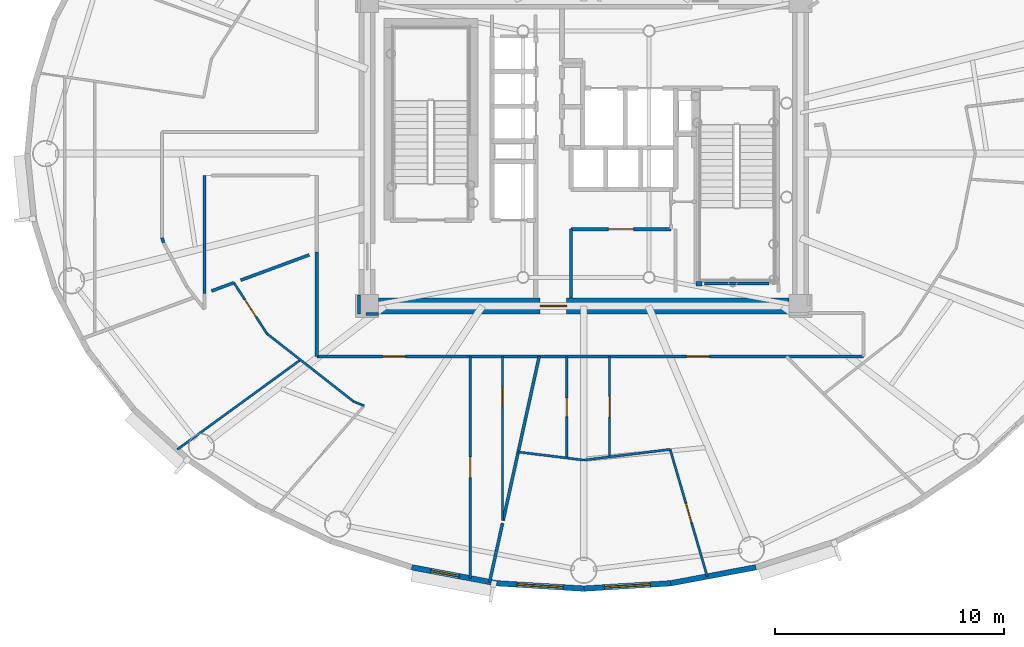
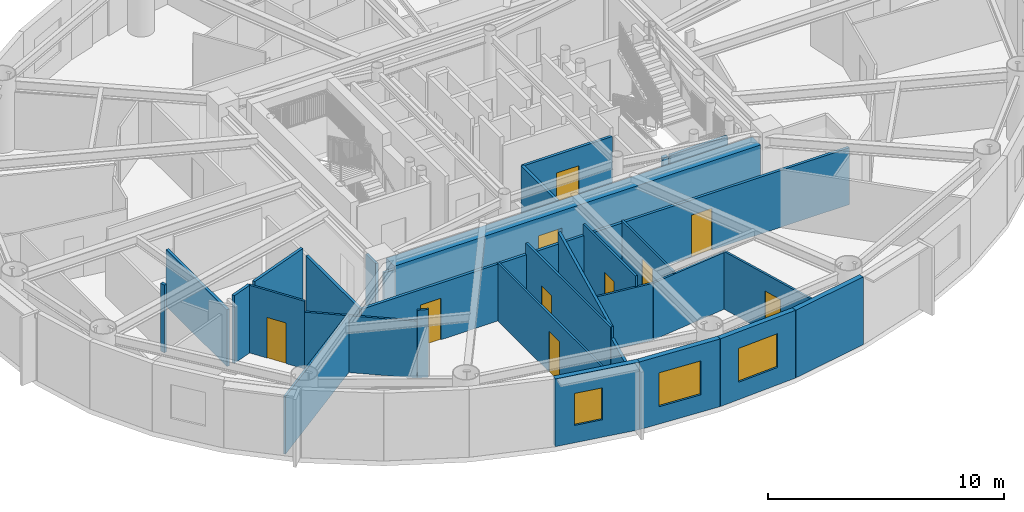
# One storey, part 7 of 19: 30 walls, 10 doors, 3 windows, 13 openings.
"""IFC4 building model written with IfcOpenShell, lengths in metres."""

from ifc_helpers import new_model, si_unit, direction, frame, frame_2d, origin, origin_2d, place, context, subcontext, project, spatial, rectangle, extrude, source, transform, mapped, material, layer, layer_set, type_object, element, fill, save


model = new_model("IFC4")

# Units and contexts
model_context = context("Model", 3, precision=1e-05, world=origin(), true_north=direction((0.0, 1.0)))
body_context = subcontext(model_context, "Body", "Model", "MODEL_VIEW")
ifc_project = project(units=[si_unit("LENGTHUNIT", "METRE"), si_unit("AREAUNIT", "SQUARE_METRE"), si_unit("VOLUMEUNIT", "CUBIC_METRE"), si_unit("PLANEANGLEUNIT", "RADIAN"), si_unit("MASSUNIT", "GRAM", prefix="KILO")], contexts=[model_context])

# Site, building, storey
site_placement = place(None, origin())
site = spatial("IfcSite", under=ifc_project, at=site_placement, CompositionType="ELEMENT")
building_placement = place(site_placement, origin())
building = spatial("IfcBuilding", under=site, at=building_placement, Name="Linh Dai School and Residence Tower", CompositionType="ELEMENT")
storey_placement = place(building_placement, frame((0.0, 0.0, 217.800048828125)))
storey = spatial("IfcBuildingStorey", under=building, at=storey_placement, Name="L53", CompositionType="ELEMENT", Elevation=217.800048828125)

# Wall, opening, window
ifc_material_1 = material(Name="Precast Concrete B45 (C35/45)", Category="concrete")
ifc_layer_1 = layer(ifc_material_1, 0.239990234375)
ifc_layer_set_1 = layer_set([ifc_layer_1], Name="Precast Concrete B45 (C35/45)")
wall_type_1 = type_object("IfcWallType", Name="EW-TC-240", PredefinedType="SOLIDWALL", material=ifc_layer_set_1)
wall_1_placement = place(storey_placement, frame((32.198486328125, 8.254150390625, 0.0), z_axis=(0.0, 0.0, 1.0), x_axis=(-0.982784898575, 0.184753465822, 0.0)))
wall_1 = element("IfcWall", 1, at=wall_1_placement, inside=storey, type_object=wall_type_1, Name="L53 Terracotta Exterior Wall 29", PredefinedType="SOLIDWALL", context=body_context, shape_type="SweptSolid", body=[
    extrude(rectangle(XDim=3.772705078125, YDim=0.239990234375, at=frame_2d((1.88623046875, 0.0))), origin(), (0.0, 0.0, 1.0), 3.5),
])
opening_1_placement = place(wall_1_placement, frame((1.663818359375, 0.0, 0.89990234375)))
opening_1 = element("IfcOpeningElement", 2, at=opening_1_placement, cuts=wall_1, Name="Opening W3", PredefinedType="OPENING", context=body_context, shape_type="SweptSolid", body=[
    extrude(rectangle(XDim=1.25, YDim=1.64990234375, at=origin_2d()), frame((0.625, 0.1298828125, 0.824951171875), z_axis=(0.0, -1.0, 0.0), x_axis=(1.0, 0.0, 0.0)), (0.0, 0.0, 1.0), 0.260009765625),
])
ifc_material_2 = material(Name="Double Low-E Insulated Glazing", Category="glass")
window_type_1 = type_object("IfcWindowType", Name="WN-RES-1250x1650", PartitioningType="SINGLE_PANEL", PredefinedType="WINDOW", material=ifc_material_2)
shared_shape_1 = source(origin(), body_context, "Body", "SweptSolid", [
    extrude(rectangle(XDim=1.25, YDim=1.64990234375, at=origin_2d()), frame((0.625, 0.030029296875, 0.824951171875), z_axis=(0.0, -1.0, 0.0), x_axis=(1.0, 0.0, 0.0)), (0.0, 0.0, 1.0), 0.06005859375),
])
window_1_placement = place(opening_1_placement, origin())
window_1 = element("IfcWindow", 3, at=window_1_placement, inside=storey, type_object=window_type_1, Name="L53 Exterior Window 29.1", OverallHeight=1.64990234375, OverallWidth=1.25, PartitioningType="SINGLE_PANEL", PredefinedType="WINDOW", context=body_context, shape_type="MappedRepresentation", body=[
    mapped(shared_shape_1, transform((0.0, 0.0, 0.0), x_axis=(1.0, 0.0, 0.0), y_axis=(0.0, 1.0, 0.0), z_axis=(0.0, 0.0, 1.0), scale=1.0)),
])
fill(opening_1, window_1)

wall_2_placement = place(storey_placement, frame((36.0, 8.02001953125, 0.0), z_axis=(0.0, 0.0, 1.0), x_axis=(-0.998108785312, 0.06147237333, 0.0)))
wall_2 = element("IfcWall", 4, at=wall_2_placement, inside=storey, type_object=wall_type_1, Name="L53 Terracotta Exterior Wall 30", PredefinedType="SOLIDWALL", context=body_context, shape_type="SweptSolid", body=[
    extrude(rectangle(XDim=3.808837890625, YDim=0.239990234375, at=frame_2d((1.904296875, 0.0))), origin(), (0.0, 0.0, 1.0), 3.5),
])
opening_2_placement = place(wall_2_placement, frame((0.904296875, 0.0, 0.89990234375)))
opening_2 = element("IfcOpeningElement", 5, at=opening_2_placement, cuts=wall_2, Name="Opening W1", PredefinedType="OPENING", context=body_context, shape_type="SweptSolid", body=[
    extrude(rectangle(XDim=2.0, YDim=1.75, at=origin_2d()), frame((1.0, 0.1298828125, 0.875), z_axis=(0.0, -1.0, 0.0), x_axis=(1.0, 0.0, 0.0)), (0.0, 0.0, 1.0), 0.260009765625),
])
window_type_2 = type_object("IfcWindowType", Name="WN-RES-2000x1750", PartitioningType="DOUBLE_PANEL_VERTICAL", PredefinedType="WINDOW", material=ifc_material_2)
shared_shape_2 = source(origin(), body_context, "Body", "SweptSolid", [
    extrude(rectangle(XDim=2.0, YDim=1.75, at=origin_2d()), frame((1.0, 0.030029296875, 0.875), z_axis=(0.0, -1.0, 0.0), x_axis=(1.0, 0.0, 0.0)), (0.0, 0.0, 1.0), 0.06005859375),
])
window_2_placement = place(opening_2_placement, origin())
window_2 = element("IfcWindow", 6, at=window_2_placement, inside=storey, type_object=window_type_2, Name="L53 Exterior Window 30.1", OverallHeight=1.75, OverallWidth=2.0, PartitioningType="DOUBLE_PANEL_VERTICAL", PredefinedType="WINDOW", context=body_context, shape_type="MappedRepresentation", body=[
    mapped(shared_shape_2, transform((0.0, 0.0, 0.0), x_axis=(1.0, 0.0, 0.0), y_axis=(0.0, 1.0, 0.0), z_axis=(0.0, 0.0, 1.0), scale=1.0)),
])
fill(opening_2, window_2)

wall_3_placement = place(storey_placement, frame((39.801513671875, 8.254150390625, 0.0), z_axis=(0.0, 0.0, 1.0), x_axis=(-0.998108785312, -0.06147237333, 0.0)))
wall_3 = element("IfcWall", 7, at=wall_3_placement, inside=storey, type_object=wall_type_1, Name="L53 Terracotta Exterior Wall 31", PredefinedType="SOLIDWALL", context=body_context, shape_type="SweptSolid", body=[
    extrude(rectangle(XDim=3.808837890625, YDim=0.239990234375, at=frame_2d((1.904296875, 0.0))), origin(), (0.0, 0.0, 1.0), 3.5),
])
opening_3_placement = place(wall_3_placement, frame((0.904541015625, 0.0, 0.89990234375)))
opening_3 = element("IfcOpeningElement", 8, at=opening_3_placement, cuts=wall_3, Name="Opening W1", PredefinedType="OPENING", context=body_context, shape_type="SweptSolid", body=[
    extrude(rectangle(XDim=2.0, YDim=1.75, at=origin_2d()), frame((1.0, 0.1298828125, 0.875), z_axis=(0.0, -1.0, 0.0), x_axis=(1.0, 0.0, 0.0)), (0.0, 0.0, 1.0), 0.260009765625),
])
window_3_placement = place(opening_3_placement, origin())
window_3 = element("IfcWindow", 9, at=window_3_placement, inside=storey, type_object=window_type_2, Name="L53 Exterior Window 31.1", OverallHeight=1.75, OverallWidth=2.0, PartitioningType="DOUBLE_PANEL_VERTICAL", PredefinedType="WINDOW", context=body_context, shape_type="MappedRepresentation", body=[
    mapped(shared_shape_2, transform((0.0, 0.0, 0.0), x_axis=(1.0, 0.0, 0.0), y_axis=(0.0, 1.0, 0.0), z_axis=(0.0, 0.0, 1.0), scale=1.0)),
])
fill(opening_3, window_3)

# Walls
wall_4_placement = place(storey_placement, frame((43.50927734375, 8.951171875, 0.0), z_axis=(0.0, 0.0, 1.0), x_axis=(-0.982784898575, -0.184753465822, 0.0)))
element("IfcWall", 10, at=wall_4_placement, inside=storey, type_object=wall_type_1, Name="L53 Terracotta Exterior Wall 32", PredefinedType="SOLIDWALL", context=body_context, shape_type="SweptSolid", body=[
    extrude(rectangle(XDim=3.772705078125, YDim=0.239990234375, at=frame_2d((1.88623046875, 0.0))), origin(), (0.0, 0.0, 1.0), 3.5),
])
ifc_material_3 = material(Name="Autoclaved Aerated Concrete Blockwork", Category="masonry")
ifc_layer_2 = layer(ifc_material_3, 0.135009765625)
ifc_layer_set_2 = layer_set([ifc_layer_2], Name="Autoclaved Aerated Concrete Blockwork")
wall_type_2 = type_object("IfcWallType", Name="IW-CORR-135-EI90", PredefinedType="PARTITIONING", material=ifc_layer_set_2)
wall_5_placement = place(storey_placement, frame((17.60009765625, 23.327880859375, 0.0), z_axis=(0.0, 0.0, 1.0), x_axis=(0.292875000845, -0.956150738053, 0.0)))
element("IfcWall", 11, at=wall_5_placement, inside=storey, type_object=wall_type_2, Name="L53 Interior Partition Wall 007", PredefinedType="PARTITIONING", context=body_context, shape_type="SweptSolid", body=[
    extrude(rectangle(XDim=0.226806640625, YDim=0.135009765625, at=frame_2d((0.11328125, 0.0))), origin(), (0.0, 0.0, 1.0), 3.5),
])
wall_6_placement = place(storey_placement, frame((24.35009765625, 18.14990234375, 0.0), z_axis=(0.0, 0.0, 1.0), x_axis=(0.0, 1.0, 0.0)))
element("IfcWall", 12, at=wall_6_placement, inside=storey, type_object=wall_type_2, Name="L53 Interior Partition Wall 020", PredefinedType="PARTITIONING", context=body_context, shape_type="SweptSolid", body=[
    extrude(rectangle(XDim=4.550537109375, YDim=0.135009765625, at=frame_2d((2.275390625, 0.0))), origin(), (0.0, 0.0, 1.0), 2.93505859375),
])

# Wall, openings, doors
wall_7_placement = place(storey_placement, frame((24.35009765625, 18.14990234375, 0.0), z_axis=(0.0, 0.0, 1.0), x_axis=(1.0, 0.0, 0.0)))
wall_7 = element("IfcWall", 13, at=wall_7_placement, inside=storey, type_object=wall_type_2, Name="L53 Interior Partition Wall 021", PredefinedType="PARTITIONING", context=body_context, shape_type="SweptSolid", body=[
    extrude(rectangle(XDim=23.849853515625, YDim=0.135009765625, at=frame_2d((11.9248046875, 0.0))), origin(), (0.0, 0.0, 1.0), 2.93505859375),
])
opening_4_placement = place(wall_7_placement, frame((2.86962890625, 0.0, 0.0)))
opening_4 = element("IfcOpeningElement", 14, at=opening_4_placement, cuts=wall_7, Name="Opening D03", PredefinedType="OPENING", context=body_context, shape_type="SweptSolid", body=[
    extrude(rectangle(XDim=1.0, YDim=2.14990234375, at=origin_2d()), frame((0.5, 0.07763671875, 1.074951171875), z_axis=(0.0, -1.0, 0.0), x_axis=(1.0, 0.0, 0.0)), (0.0, 0.0, 1.0), 0.155029296875),
])
opening_5_placement = place(wall_7_placement, frame((16.129638671875, 0.0, 0.0)))
opening_5 = element("IfcOpeningElement", 15, at=opening_5_placement, cuts=wall_7, Name="Opening D03", PredefinedType="OPENING", context=body_context, shape_type="SweptSolid", body=[
    extrude(rectangle(XDim=1.0, YDim=2.14990234375, at=origin_2d()), frame((0.5, 0.07763671875, 1.074951171875), z_axis=(0.0, -1.0, 0.0), x_axis=(1.0, 0.0, 0.0)), (0.0, 0.0, 1.0), 0.155029296875),
])
ifc_material_4 = material(Name="Fire-Rated Solid Timber Entrance Door", Category="wood")
door_type_1 = type_object("IfcDoorType", Name="DR-FLAT-1000x2150-FD60S", OperationType="NOTDEFINED", PredefinedType="DOOR", material=ifc_material_4)
shared_shape_3 = source(origin(), body_context, "Body", "SweptSolid", [
    extrude(rectangle(XDim=1.0, YDim=2.14990234375, at=origin_2d()), frame((0.5, 0.02490234375, 1.074951171875), z_axis=(0.0, -1.0, 0.0), x_axis=(1.0, 0.0, 0.0)), (0.0, 0.0, 1.0), 0.050048828125),
])
door_1_placement = place(opening_4_placement, origin())
door_1 = element("IfcDoor", 16, at=door_1_placement, inside=storey, type_object=door_type_1, Name="L53 U5305 Apartment Entrance Door", OperationType="SINGLE_SWING_RIGHT", OverallHeight=2.14990234375, OverallWidth=1.0, PredefinedType="DOOR", context=body_context, shape_type="MappedRepresentation", body=[
    mapped(shared_shape_3, transform((0.0, 0.0, 0.0), x_axis=(1.0, 0.0, 0.0), y_axis=(0.0, 1.0, 0.0), z_axis=(0.0, 0.0, 1.0), scale=1.0)),
])
fill(opening_4, door_1)
door_2_placement = place(opening_5_placement, origin())
door_2 = element("IfcDoor", 17, at=door_2_placement, inside=storey, type_object=door_type_1, Name="L53 U5306 Apartment Entrance Door", OperationType="SINGLE_SWING_LEFT", OverallHeight=2.14990234375, OverallWidth=1.0, PredefinedType="DOOR", context=body_context, shape_type="MappedRepresentation", body=[
    mapped(shared_shape_3, transform((0.0, 0.0, 0.0), x_axis=(1.0, 0.0, 0.0), y_axis=(0.0, 1.0, 0.0), z_axis=(0.0, 0.0, 1.0), scale=1.0)),
])
fill(opening_5, door_2)

# Walls
wall_8_placement = place(storey_placement, frame((31.890625, 8.30712890625, 0.0), z_axis=(0.0, 0.0, 1.0), x_axis=(0.214700779338, 0.976679873526, 0.0)))
element("IfcWall", 18, at=wall_8_placement, inside=storey, type_object=wall_type_2, Name="L53 Interior Partition Wall 034", PredefinedType="PARTITIONING", context=body_context, shape_type="SweptSolid", body=[
    extrude(rectangle(XDim=2.63232421875, YDim=0.135009765625, at=frame_2d((1.316162109375, 0.0))), origin(), (0.0, 0.0, 1.0), 2.98486328125),
])
wall_9_placement = place(storey_placement, frame((32.47900390625, 10.98291015625, 0.0), z_axis=(0.0, 0.0, 1.0), x_axis=(0.214685976808, 0.976683127407, 0.0)))
element("IfcWall", 19, at=wall_9_placement, inside=storey, type_object=wall_type_2, Name="L53 Interior Partition Wall 042", PredefinedType="PARTITIONING", context=body_context, shape_type="SweptSolid", body=[
    extrude(rectangle(XDim=7.33837890625, YDim=0.135009765625, at=frame_2d((3.669189453125, 0.0))), origin(), (0.0, 0.0, 1.0), 3.5),
])
wall_10_placement = place(storey_placement, frame((35.449951171875, 20.699951171875, 0.0), z_axis=(0.0, 0.0, 1.0), x_axis=(0.0, 1.0, 0.0)))
element("IfcWall", 20, at=wall_10_placement, inside=storey, type_object=wall_type_2, Name="L53 Interior Partition Wall 052", PredefinedType="PARTITIONING", context=body_context, shape_type="SweptSolid", body=[
    extrude(rectangle(XDim=3.0, YDim=0.135009765625, at=frame_2d((1.5, 0.0))), origin(), (0.0, 0.0, 1.0), 3.0849609375),
])

# Wall, opening, door
wall_11_placement = place(storey_placement, frame((35.449951171875, 23.699951171875, 0.0), z_axis=(0.0, 0.0, 1.0), x_axis=(1.0, 0.0, 0.0)))
wall_11 = element("IfcWall", 21, at=wall_11_placement, inside=storey, type_object=wall_type_2, Name="L53 Interior Partition Wall 053", PredefinedType="PARTITIONING", context=body_context, shape_type="SweptSolid", body=[
    extrude(rectangle(XDim=4.35009765625, YDim=0.135009765625, at=frame_2d((2.175048828125, 0.0))), origin(), (0.0, 0.0, 1.0), 3.0849609375),
])
opening_6_placement = place(wall_11_placement, frame((1.625, 0.0, 0.0)))
opening_6 = element("IfcOpeningElement", 22, at=opening_6_placement, cuts=wall_11, Name="Opening D07", PredefinedType="OPENING", context=body_context, shape_type="SweptSolid", body=[
    extrude(rectangle(XDim=1.10009765625, YDim=2.14990234375, at=origin_2d()), frame((0.550048828125, 0.07763671875, 1.074951171875), z_axis=(0.0, -1.0, 0.0), x_axis=(1.0, 0.0, 0.0)), (0.0, 0.0, 1.0), 0.155029296875),
])
ifc_material_5 = material(Name="Fire-Rated Louvred Steel Plant Door", Category="steel")
door_type_2 = type_object("IfcDoorType", Name="DR-PLT-1100x2150-FD60S", OperationType="NOTDEFINED", PredefinedType="DOOR", material=ifc_material_5)
shared_shape_4 = source(origin(), body_context, "Body", "SweptSolid", [
    extrude(rectangle(XDim=1.10009765625, YDim=2.14990234375, at=origin_2d()), frame((0.550048828125, 0.02490234375, 1.074951171875), z_axis=(0.0, -1.0, 0.0), x_axis=(1.0, 0.0, 0.0)), (0.0, 0.0, 1.0), 0.050048828125),
])
door_3_placement = place(opening_6_placement, origin())
door_3 = element("IfcDoor", 23, at=door_3_placement, inside=storey, type_object=door_type_2, Name="L53 Tenant Metering and BMS Room Door", OperationType="SINGLE_SWING_LEFT", OverallHeight=2.14990234375, OverallWidth=1.10009765625, PredefinedType="DOOR", context=body_context, shape_type="MappedRepresentation", body=[
    mapped(shared_shape_4, transform((0.0, 0.0, 0.0), x_axis=(1.0, 0.0, 0.0), y_axis=(0.0, 1.0, 0.0), z_axis=(0.0, 0.0, 1.0), scale=1.0)),
])
fill(opening_6, door_3)

# Walls
wall_12_placement = place(storey_placement, frame((44.080078125, 21.330078125, 0.0), z_axis=(0.0, 0.0, 1.0), x_axis=(-1.0, 0.0, 0.0)))
element("IfcWall", 24, at=wall_12_placement, inside=storey, type_object=wall_type_2, Name="L53 Interior Partition Wall 096", PredefinedType="PARTITIONING", context=body_context, shape_type="SweptSolid", body=[
    extrude(rectangle(XDim=2.820068359375, YDim=0.135009765625, at=frame_2d((1.41015625, 0.0))), origin(), (0.0, 0.0, 1.0), 3.034912109375),
])
wall_13_placement = place(storey_placement, frame((19.449951171875, 26.050048828125, 0.0), z_axis=(0.0, 0.0, 1.0), x_axis=(0.0, -1.0, 0.0)))
element("IfcWall", 25, at=wall_13_placement, inside=storey, type_object=wall_type_2, Name="L53 Interior Partition Wall 102", PredefinedType="PARTITIONING", context=body_context, shape_type="SweptSolid", body=[
    extrude(rectangle(XDim=5.14794921875, YDim=0.135009765625, at=frame_2d((2.573974609375, 0.0))), origin(), (0.0, 0.0, 1.0), 2.93505859375),
])
wall_14_placement = place(storey_placement, frame((26.199951171875, 20.840087890625, 0.0), z_axis=(0.0, 0.0, 1.0), x_axis=(0.0, -1.0, 0.0)))
element("IfcWall", 26, at=wall_14_placement, inside=storey, type_object=wall_type_2, Name="L53 Interior Partition Wall 107", PredefinedType="PARTITIONING", context=body_context, shape_type="SweptSolid", body=[
    extrude(rectangle(XDim=0.840087890625, YDim=0.135009765625, at=frame_2d((0.419921875, 0.0))), origin(), (0.0, 0.0, 1.0), 3.5),
])
wall_15_placement = place(storey_placement, frame((26.507568359375, 20.0, 0.0), z_axis=(0.0, 0.0, 1.0), x_axis=(1.0, 0.0, 0.0)))
element("IfcWall", 27, at=wall_15_placement, inside=storey, type_object=wall_type_2, Name="L53 Interior Partition Wall 108", PredefinedType="PARTITIONING", context=body_context, shape_type="SweptSolid", body=[
    extrude(rectangle(XDim=0.532470703125, YDim=0.135009765625, at=frame_2d((0.26611328125, 0.0))), origin(), (0.0, 0.0, 1.0), 2.93505859375),
])
wall_16_placement = place(storey_placement, frame((21.03125, 21.475830078125, 0.0), z_axis=(0.0, 0.0, 1.0), x_axis=(0.938166504217, 0.346184358926, 0.0)))
element("IfcWall", 28, at=wall_16_placement, inside=storey, type_object=wall_type_2, Name="L53 Interior Partition Wall 112", PredefinedType="PARTITIONING", context=body_context, shape_type="SweptSolid", body=[
    extrude(rectangle(XDim=3.1884765625, YDim=0.135009765625, at=frame_2d((1.59423828125, 0.0))), origin(), (0.0, 0.0, 1.0), 3.5),
])
wall_17_placement = place(storey_placement, frame((19.757568359375, 21.005615234375, 0.0), z_axis=(0.0, 0.0, 1.0), x_axis=(0.938130503792, 0.346281905179, 0.0)))
element("IfcWall", 29, at=wall_17_placement, inside=storey, type_object=wall_type_2, Name="L53 Interior Partition Wall 113", PredefinedType="PARTITIONING", context=body_context, shape_type="SweptSolid", body=[
    extrude(rectangle(XDim=1.0400390625, YDim=0.135009765625, at=frame_2d((0.52001953125, 0.0))), origin(), (0.0, 0.0, 1.0), 3.5),
])
ifc_material_6 = material(Name="Concrete B45 (C35/45)", Category="concrete")
ifc_layer_3 = layer(ifc_material_6, 0.199951171875)
ifc_layer_set_3 = layer_set([ifc_layer_3], Name="Concrete B45 (C35/45)")
wall_type_3 = type_object("IfcWallType", Name="IW-SHAFT-200-EI120", PredefinedType="PARTITIONING", material=ifc_layer_set_3)
wall_18_placement = place(storey_placement, frame((40.89990234375, 21.330078125, 0.0), z_axis=(0.0, 0.0, 1.0), x_axis=(1.0, 0.0, 0.0)))
element("IfcWall", 30, at=wall_18_placement, inside=storey, type_object=wall_type_3, Name="L53 Interior Partition Wall 076", PredefinedType="PARTITIONING", context=body_context, shape_type="SweptSolid", body=[
    extrude(rectangle(XDim=0.25, YDim=0.199951171875, at=frame_2d((0.125, 0.0))), origin(), (0.0, 0.0, 1.0), 3.034912109375),
])
ifc_material_7 = material(Name="Gypsum Plasterboard Acoustic Stud Partition", Category="masonry")
ifc_layer_4 = layer(ifc_material_7, 0.10009765625)
ifc_layer_set_4 = layer_set([ifc_layer_4], Name="Gypsum Plasterboard Acoustic Stud Partition")
wall_type_4 = type_object("IfcWallType", Name="IW-UNIT-100", PredefinedType="PARTITIONING", material=ifc_layer_set_4)
wall_19_placement = place(storey_placement, frame((18.26806640625, 14.091796875, 0.0), z_axis=(0.0, 0.0, 1.0), x_axis=(0.808481640117, 0.588521399436, 0.0)))
element("IfcWall", 31, at=wall_19_placement, inside=storey, type_object=wall_type_4, Name="L53 Interior Partition Wall 010", PredefinedType="PARTITIONING", context=body_context, shape_type="SweptSolid", body=[
    extrude(rectangle(XDim=6.640625, YDim=0.10009765625, at=frame_2d((3.3203125, 0.0))), origin(), (0.0, 0.0, 1.0), 2.98486328125),
])

# Wall, opening, door
wall_20_placement = place(storey_placement, frame((20.733154296875, 21.36572265625, 0.0), z_axis=(0.0, 0.0, 1.0), x_axis=(0.545375949152, -0.838191549758, 0.0)))
wall_20 = element("IfcWall", 32, at=wall_20_placement, inside=storey, type_object=wall_type_4, Name="L53 Interior Partition Wall 016", PredefinedType="PARTITIONING", context=body_context, shape_type="SweptSolid", body=[
    extrude(rectangle(XDim=2.656494140625, YDim=0.10009765625, at=frame_2d((1.328125, 0.0))), origin(), (0.0, 0.0, 1.0), 3.5),
])
opening_7_placement = place(wall_20_placement, frame((0.878173828125, 0.0, 0.0)))
opening_7 = element("IfcOpeningElement", 33, at=opening_7_placement, cuts=wall_20, Name="Opening D05", PredefinedType="OPENING", context=body_context, shape_type="SweptSolid", body=[
    extrude(rectangle(XDim=0.89990234375, YDim=2.10009765625, at=origin_2d()), frame((0.449951171875, 0.06005859375, 1.050048828125), z_axis=(0.0, -1.0, 0.0), x_axis=(1.0, 0.0, 0.0)), (0.0, 0.0, 1.0), 0.1201171875),
])
ifc_material_8 = material(Name="Engineered Timber Internal Door", Category="wood")
door_type_3 = type_object("IfcDoorType", Name="DR-INT-900x2100", OperationType="NOTDEFINED", PredefinedType="DOOR", material=ifc_material_8)
shared_shape_5 = source(origin(), body_context, "Body", "SweptSolid", [
    extrude(rectangle(XDim=0.89990234375, YDim=2.10009765625, at=origin_2d()), frame((0.449951171875, 0.02490234375, 1.050048828125), z_axis=(0.0, -1.0, 0.0), x_axis=(1.0, 0.0, 0.0)), (0.0, 0.0, 1.0), 0.050048828125),
])
door_4_placement = place(opening_7_placement, origin())
door_4 = element("IfcDoor", 34, at=door_4_placement, inside=storey, type_object=door_type_3, Name="L53 Apartment U5305 Principal Bedroom 1 Door", OperationType="SINGLE_SWING_LEFT", OverallHeight=2.10009765625, OverallWidth=0.89990234375, PredefinedType="DOOR", context=body_context, shape_type="MappedRepresentation", body=[
    mapped(shared_shape_5, transform((0.0, 0.0, 0.0), x_axis=(1.0, 0.0, 0.0), y_axis=(0.0, 1.0, 0.0), z_axis=(0.0, 0.0, 1.0), scale=1.0)),
])
fill(opening_7, door_4)

# Walls
wall_21_placement = place(storey_placement, frame((22.181884765625, 19.13916015625, 0.0), z_axis=(0.0, 0.0, 1.0), x_axis=(0.787386902975, -0.616459134917, 0.0)))
element("IfcWall", 35, at=wall_21_placement, inside=storey, type_object=wall_type_4, Name="L53 Interior Partition Wall 017", PredefinedType="PARTITIONING", context=body_context, shape_type="SweptSolid", body=[
    extrude(rectangle(XDim=4.799072265625, YDim=0.10009765625, at=frame_2d((2.3994140625, 0.0))), origin(), (0.0, 0.0, 1.0), 2.93505859375),
])
wall_22_placement = place(storey_placement, frame((25.960693359375, 16.1806640625, 0.0), z_axis=(0.0, 0.0, 1.0), x_axis=(0.928718060564, -0.370786682585, 0.0)))
element("IfcWall", 36, at=wall_22_placement, inside=storey, type_object=wall_type_4, Name="L53 Interior Partition Wall 024", PredefinedType="PARTITIONING", context=body_context, shape_type="SweptSolid", body=[
    extrude(rectangle(XDim=0.48779296875, YDim=0.10009765625, at=frame_2d((0.243896484375, 0.0))), origin(), (0.0, 0.0, 1.0), 3.5),
])

# Wall, opening, door
wall_23_placement = place(storey_placement, frame((31.049072265625, 8.46533203125, 0.0), z_axis=(0.0, 0.0, 1.0), x_axis=(0.0, 1.0, 0.0)))
wall_23 = element("IfcWall", 37, at=wall_23_placement, inside=storey, type_object=wall_type_4, Name="L53 Interior Partition Wall 031", PredefinedType="PARTITIONING", context=body_context, shape_type="SweptSolid", body=[
    extrude(rectangle(XDim=9.6845703125, YDim=0.10009765625, at=frame_2d((4.84228515625, 0.0))), origin(), (0.0, 0.0, 1.0), 2.98486328125),
])
opening_8_placement = place(wall_23_placement, frame((4.392333984375, 0.0, 0.0)))
opening_8 = element("IfcOpeningElement", 38, at=opening_8_placement, cuts=wall_23, Name="Opening D05", PredefinedType="OPENING", context=body_context, shape_type="SweptSolid", body=[
    extrude(rectangle(XDim=0.89990234375, YDim=2.10009765625, at=origin_2d()), frame((0.449951171875, 0.06005859375, 1.050048828125), z_axis=(0.0, -1.0, 0.0), x_axis=(1.0, 0.0, 0.0)), (0.0, 0.0, 1.0), 0.1201171875),
])
door_5_placement = place(opening_8_placement, origin())
door_5 = element("IfcDoor", 39, at=door_5_placement, inside=storey, type_object=door_type_3, Name="L53 Apartment U5305 Kitchen Door", OperationType="SINGLE_SWING_LEFT", OverallHeight=2.10009765625, OverallWidth=0.89990234375, PredefinedType="DOOR", context=body_context, shape_type="MappedRepresentation", body=[
    mapped(shared_shape_5, transform((0.0, 0.0, 0.0), x_axis=(1.0, 0.0, 0.0), y_axis=(0.0, 1.0, 0.0), z_axis=(0.0, 0.0, 1.0), scale=1.0)),
])
fill(opening_8, door_5)

wall_24_placement = place(storey_placement, frame((32.455810546875, 10.9853515625, 0.0), z_axis=(0.0, 0.0, 1.0), x_axis=(0.0, 1.0, 0.0)))
wall_24 = element("IfcWall", 40, at=wall_24_placement, inside=storey, type_object=wall_type_4, Name="L53 Interior Partition Wall 041", PredefinedType="PARTITIONING", context=body_context, shape_type="SweptSolid", body=[
    extrude(rectangle(XDim=7.16455078125, YDim=0.10009765625, at=frame_2d((3.582275390625, 0.0))), origin(), (0.0, 0.0, 1.0), 3.5),
])
opening_9_placement = place(wall_24_placement, frame((5.003662109375, 0.0, 0.0)))
opening_9 = element("IfcOpeningElement", 41, at=opening_9_placement, cuts=wall_24, Name="Opening D06", PredefinedType="OPENING", context=body_context, shape_type="SweptSolid", body=[
    extrude(rectangle(XDim=0.820068359375, YDim=2.10009765625, at=origin_2d()), frame((0.41015625, 0.06005859375, 1.050048828125), z_axis=(0.0, -1.0, 0.0), x_axis=(1.0, 0.0, 0.0)), (0.0, 0.0, 1.0), 0.1201171875),
])
ifc_material_9 = material(Name="Moisture-Resistant Timber Bathroom Door", Category="wood")
door_type_4 = type_object("IfcDoorType", Name="DR-WET-820x2100", OperationType="NOTDEFINED", PredefinedType="DOOR", material=ifc_material_9)
shared_shape_6 = source(origin(), body_context, "Body", "SweptSolid", [
    extrude(rectangle(XDim=0.820068359375, YDim=2.10009765625, at=origin_2d()), frame((0.41015625, 0.02490234375, 1.050048828125), z_axis=(0.0, -1.0, 0.0), x_axis=(1.0, 0.0, 0.0)), (0.0, 0.0, 1.0), 0.050048828125),
])
door_6_placement = place(opening_9_placement, origin())
door_6 = element("IfcDoor", 42, at=door_6_placement, inside=storey, type_object=door_type_4, Name="L53 Apartment U5305 Bathroom 1 Door", OperationType="SINGLE_SWING_RIGHT", OverallHeight=2.10009765625, OverallWidth=0.820068359375, PredefinedType="DOOR", context=body_context, shape_type="MappedRepresentation", body=[
    mapped(shared_shape_6, transform((0.0, 0.0, 0.0), x_axis=(1.0, 0.0, 0.0), y_axis=(0.0, 1.0, 0.0), z_axis=(0.0, 0.0, 1.0), scale=1.0)),
])
fill(opening_9, door_6)

# Wall
wall_25_placement = place(storey_placement, frame((33.13818359375, 13.9814453125, 0.0), z_axis=(0.0, 0.0, 1.0), x_axis=(0.99239465631, -0.123096897311, 0.0)))
element("IfcWall", 43, at=wall_25_placement, inside=storey, type_object=wall_type_4, Name="L53 Interior Partition Wall 043", PredefinedType="PARTITIONING", context=body_context, shape_type="SweptSolid", body=[
    extrude(rectangle(XDim=2.8837890625, YDim=0.10009765625, at=frame_2d((1.44189453125, 0.0))), origin(), (0.0, 0.0, 1.0), 2.93505859375),
])

# Wall, opening, door
wall_26_placement = place(storey_placement, frame((35.259033203125, 13.71826171875, 0.0), z_axis=(0.0, 0.0, 1.0), x_axis=(0.0, 1.0, 0.0)))
wall_26 = element("IfcWall", 44, at=wall_26_placement, inside=storey, type_object=wall_type_4, Name="L53 Interior Partition Wall 051", PredefinedType="PARTITIONING", context=body_context, shape_type="SweptSolid", body=[
    extrude(rectangle(XDim=4.431640625, YDim=0.10009765625, at=frame_2d((2.2158203125, 0.0))), origin(), (0.0, 0.0, 1.0), 3.5),
])
opening_10_placement = place(wall_26_placement, frame((1.805908203125, 0.0, 0.0)))
opening_10 = element("IfcOpeningElement", 45, at=opening_10_placement, cuts=wall_26, Name="Opening D06", PredefinedType="OPENING", context=body_context, shape_type="SweptSolid", body=[
    extrude(rectangle(XDim=0.820068359375, YDim=2.10009765625, at=origin_2d()), frame((0.41015625, 0.06005859375, 1.050048828125), z_axis=(0.0, -1.0, 0.0), x_axis=(1.0, 0.0, 0.0)), (0.0, 0.0, 1.0), 0.1201171875),
])
door_7_placement = place(opening_10_placement, origin())
door_7 = element("IfcDoor", 46, at=door_7_placement, inside=storey, type_object=door_type_4, Name="L53 Apartment U5306 Bathroom 1 Door", OperationType="SINGLE_SWING_RIGHT", OverallHeight=2.10009765625, OverallWidth=0.820068359375, PredefinedType="DOOR", context=body_context, shape_type="MappedRepresentation", body=[
    mapped(shared_shape_6, transform((0.0, 0.0, 0.0), x_axis=(1.0, 0.0, 0.0), y_axis=(0.0, 1.0, 0.0), z_axis=(0.0, 0.0, 1.0), scale=1.0)),
])
fill(opening_10, door_7)

# Wall
wall_27_placement = place(storey_placement, frame((36.0, 13.62646484375, 0.0), z_axis=(0.0, 0.0, 1.0), x_axis=(0.992397118202, 0.123077048159, 0.0)))
element("IfcWall", 47, at=wall_27_placement, inside=storey, type_object=wall_type_4, Name="L53 Interior Partition Wall 058", PredefinedType="PARTITIONING", context=body_context, shape_type="SweptSolid", body=[
    extrude(rectangle(XDim=3.796630859375, YDim=0.10009765625, at=frame_2d((1.8984375, 0.0))), origin(), (0.0, 0.0, 1.0), 2.93505859375),
])

# Wall, opening, door
wall_28_placement = place(storey_placement, frame((37.125732421875, 13.76611328125, 0.0), z_axis=(0.0, 0.0, 1.0), x_axis=(0.0, 1.0, 0.0)))
wall_28 = element("IfcWall", 48, at=wall_28_placement, inside=storey, type_object=wall_type_4, Name="L53 Interior Partition Wall 063", PredefinedType="PARTITIONING", context=body_context, shape_type="SweptSolid", body=[
    extrude(rectangle(XDim=4.3837890625, YDim=0.10009765625, at=frame_2d((2.19189453125, 0.0))), origin(), (0.0, 0.0, 1.0), 3.034912109375),
])
opening_11_placement = place(wall_28_placement, frame((1.741943359375, 0.0, 0.0)))
opening_11 = element("IfcOpeningElement", 49, at=opening_11_placement, cuts=wall_28, Name="Opening D05", PredefinedType="OPENING", context=body_context, shape_type="SweptSolid", body=[
    extrude(rectangle(XDim=0.89990234375, YDim=2.10009765625, at=origin_2d()), frame((0.449951171875, 0.06005859375, 1.050048828125), z_axis=(0.0, -1.0, 0.0), x_axis=(1.0, 0.0, 0.0)), (0.0, 0.0, 1.0), 0.1201171875),
])
door_8_placement = place(opening_11_placement, origin())
door_8 = element("IfcDoor", 50, at=door_8_placement, inside=storey, type_object=door_type_3, Name="L53 Apartment U5306 Kitchen Door", OperationType="SINGLE_SWING_LEFT", OverallHeight=2.10009765625, OverallWidth=0.89990234375, PredefinedType="DOOR", context=body_context, shape_type="MappedRepresentation", body=[
    mapped(shared_shape_5, transform((0.0, 0.0, 0.0), x_axis=(1.0, 0.0, 0.0), y_axis=(0.0, 1.0, 0.0), z_axis=(0.0, 0.0, 1.0), scale=1.0)),
])
fill(opening_11, door_8)

wall_29_placement = place(storey_placement, frame((39.767822265625, 14.09375, 0.0), z_axis=(0.0, 0.0, 1.0), x_axis=(0.280219030024, -0.959936089129, 0.0)))
wall_29 = element("IfcWall", 51, at=wall_29_placement, inside=storey, type_object=wall_type_4, Name="L53 Interior Partition Wall 067", PredefinedType="PARTITIONING", context=body_context, shape_type="SweptSolid", body=[
    extrude(rectangle(XDim=5.778076171875, YDim=0.10009765625, at=frame_2d((2.88916015625, 0.0))), origin(), (0.0, 0.0, 1.0), 2.98486328125),
])
opening_12_placement = place(wall_29_placement, frame((2.43896484375, 0.0, 0.0)))
opening_12 = element("IfcOpeningElement", 52, at=opening_12_placement, cuts=wall_29, Name="Opening D05", PredefinedType="OPENING", context=body_context, shape_type="SweptSolid", body=[
    extrude(rectangle(XDim=0.89990234375, YDim=2.10009765625, at=origin_2d()), frame((0.449951171875, 0.06005859375, 1.050048828125), z_axis=(0.0, -1.0, 0.0), x_axis=(1.0, 0.0, 0.0)), (0.0, 0.0, 1.0), 0.1201171875),
])
door_9_placement = place(opening_12_placement, origin())
door_9 = element("IfcDoor", 53, at=door_9_placement, inside=storey, type_object=door_type_3, Name="L53 Apartment U5306 Principal Bedroom 1 Door", OperationType="SINGLE_SWING_RIGHT", OverallHeight=2.10009765625, OverallWidth=0.89990234375, PredefinedType="DOOR", context=body_context, shape_type="MappedRepresentation", body=[
    mapped(shared_shape_5, transform((0.0, 0.0, 0.0), x_axis=(1.0, 0.0, 0.0), y_axis=(0.0, 1.0, 0.0), z_axis=(0.0, 0.0, 1.0), scale=1.0)),
])
fill(opening_12, door_9)

ifc_layer_5 = layer(ifc_material_6, 0.699951171875)
ifc_layer_set_5 = layer_set([ifc_layer_5], Name="Concrete B45 (C35/45)")
wall_type_5 = type_object("IfcWallType", Name="WL-CORE700", PredefinedType="SHEAR", material=ifc_layer_set_5)
wall_30_placement = place(storey_placement, frame((44.949951171875, 20.35009765625, 0.0), z_axis=(0.0, 0.0, 1.0), x_axis=(-1.0, 0.0, 0.0)))
wall_30 = element("IfcWall", 54, at=wall_30_placement, inside=storey, type_object=wall_type_5, Name="L53 Central Core Shear Wall S", PredefinedType="SHEAR", context=body_context, shape_type="SweptSolid", body=[
    extrude(rectangle(XDim=17.89990234375, YDim=0.699951171875, at=frame_2d((8.949951171875, 0.0))), origin(), (0.0, 0.0, 1.0), 3.050048828125),
])
opening_13_placement = place(wall_30_placement, frame((9.699951171875, 0.0, 0.0)))
opening_13 = element("IfcOpeningElement", 55, at=opening_13_placement, cuts=wall_30, Name="Opening D02", PredefinedType="OPENING", context=body_context, shape_type="SweptSolid", body=[
    extrude(rectangle(XDim=1.14990234375, YDim=2.14990234375, at=origin_2d()), frame((0.574951171875, 0.35986328125, 1.074951171875), z_axis=(0.0, -1.0, 0.0), x_axis=(1.0, 0.0, 0.0)), (0.0, 0.0, 1.0), 0.719970703125),
])
ifc_material_10 = material(Name="Fire-Rated Glazed Steel Lobby Door", Category="steel")
door_type_5 = type_object("IfcDoorType", Name="DR-LOBBY-1150x2150-FD90S", OperationType="NOTDEFINED", PredefinedType="DOOR", material=ifc_material_10)
shared_shape_7 = source(origin(), body_context, "Body", "SweptSolid", [
    extrude(rectangle(XDim=1.14990234375, YDim=2.14990234375, at=origin_2d()), frame((0.574951171875, 0.02490234375, 1.074951171875), z_axis=(0.0, -1.0, 0.0), x_axis=(1.0, 0.0, 0.0)), (0.0, 0.0, 1.0), 0.050048828125),
])
door_10_placement = place(opening_13_placement, origin())
door_10 = element("IfcDoor", 56, at=door_10_placement, inside=storey, type_object=door_type_5, Name="L53 Passenger Foyer Access Door", OperationType="SINGLE_SWING_LEFT", OverallHeight=2.14990234375, OverallWidth=1.14990234375, PredefinedType="DOOR", context=body_context, shape_type="MappedRepresentation", body=[
    mapped(shared_shape_7, transform((0.0, 0.0, 0.0), x_axis=(1.0, 0.0, 0.0), y_axis=(0.0, 1.0, 0.0), z_axis=(0.0, 0.0, 1.0), scale=1.0)),
])
fill(opening_13, door_10)

save(model, "model.ifc")
